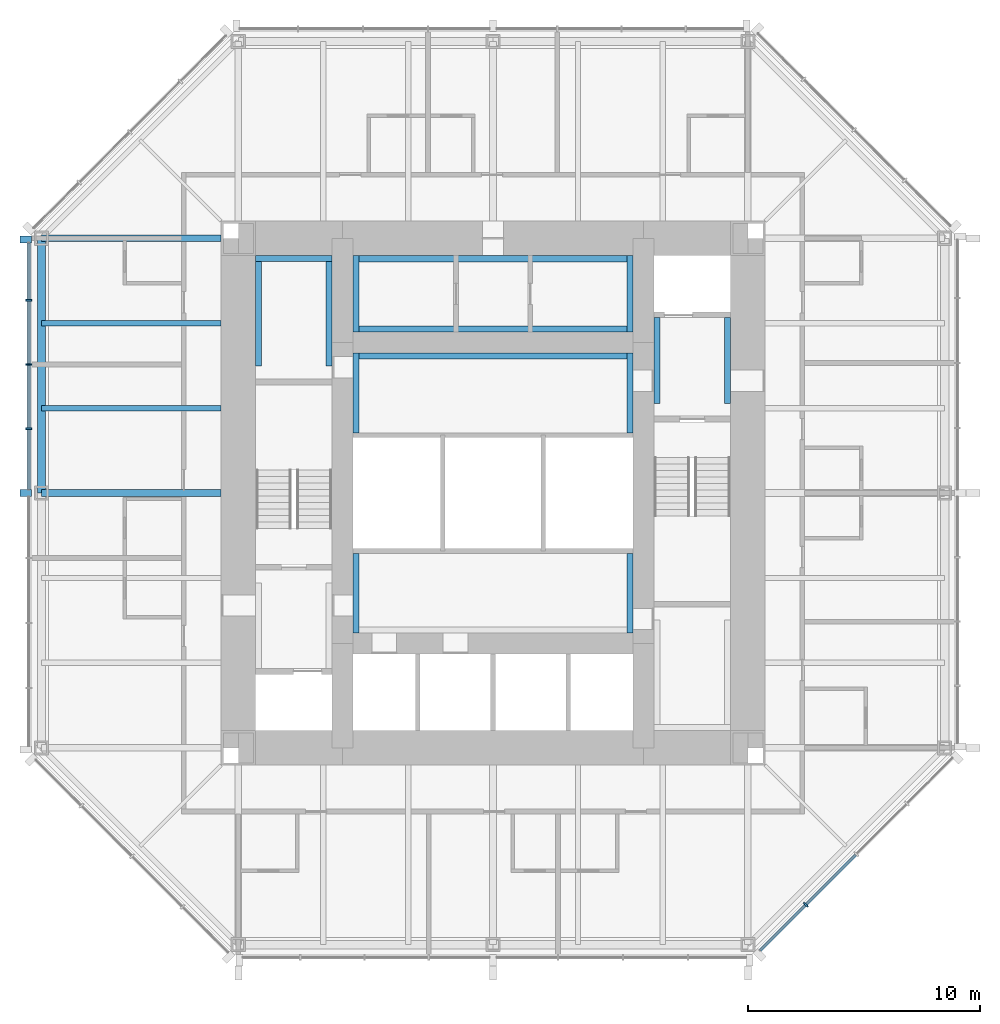
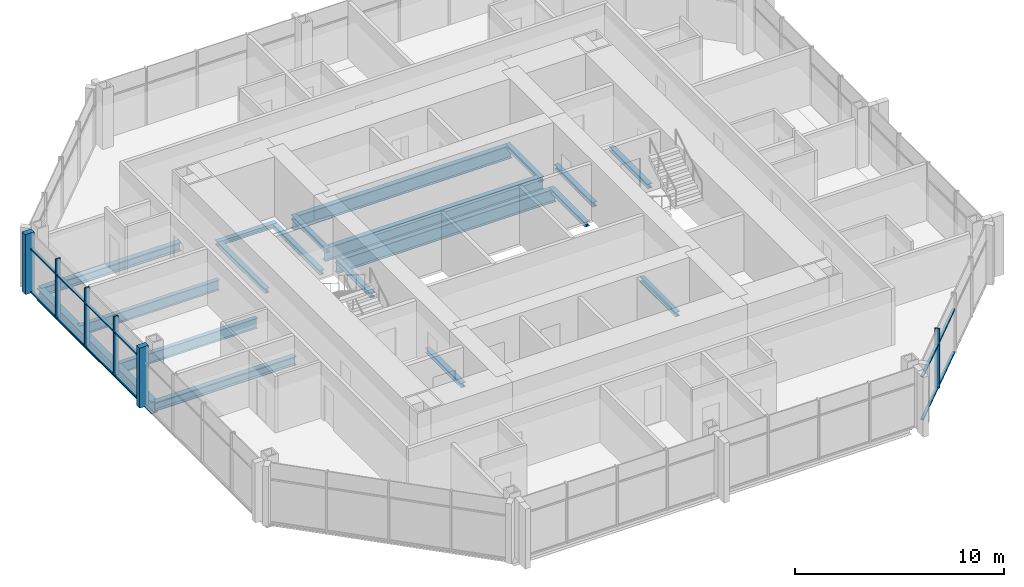
# One storey, part 3 of 11: 19 beams, 18 members, 2 elements without a shape of their own.
"""IFC4 building model written with IfcOpenShell, lengths in metres."""

from ifc_helpers import new_model, si_unit, direction, frame, origin, origin_2d, place, context, subcontext, project, spatial, rectangle, i_section, extrude, material, material_profile, profile_set, type_object, element, aggregate, save


model = new_model("IFC4")

# Units and contexts
model_context = context("Model", 3, precision=1e-05, world=origin(), true_north=direction((0.0, 1.0)))
body_context = subcontext(model_context, "Body", "Model", "MODEL_VIEW")
ifc_project = project(units=[si_unit("LENGTHUNIT", "METRE"), si_unit("AREAUNIT", "SQUARE_METRE"), si_unit("VOLUMEUNIT", "CUBIC_METRE"), si_unit("PLANEANGLEUNIT", "RADIAN"), si_unit("MASSUNIT", "GRAM", prefix="KILO")], contexts=[model_context])

# Site, building, storey
site_placement = place(None, origin())
site = spatial("IfcSite", under=ifc_project, at=site_placement, CompositionType="ELEMENT")
building_placement = place(site_placement, origin())
building = spatial("IfcBuilding", under=site, at=building_placement, Name="Trevanion Tower", CompositionType="ELEMENT")
storey_placement = place(building_placement, frame((0.0, 0.0, 218.699951171875)))
storey = spatial("IfcBuildingStorey", under=building, at=storey_placement, Name="L52", CompositionType="ELEMENT", Elevation=218.699951171875)

# Beams
ifc_material_1 = material(Name="Steel ASTM A992 Grade 50", Category="steel")
ifc_material_profile_1 = material_profile(ifc_material_1, i_section(OverallWidth=0.228271484375, OverallDepth=0.607177734375, WebThickness=0.01123046875, FlangeThickness=0.017333984375, at=origin_2d()), Name="W24X76")
ifc_profile_set_1 = profile_set([ifc_material_profile_1], Name="Steel ASTM A992 Grade 50")
beam_type_1 = type_object("IfcBeamType", Name="B11 W24X76", PredefinedType="BEAM", material=ifc_profile_set_1)
for number, where, z_axis, x_axis, name in (
    (1, (-11.75, 7.333251953125, -0.493408203125), (-1.0, 0.0, 0.0), (0.0, -1.0, 0.0), "B11 L52"),
    (2, (-11.75, 3.666748046875, -0.493408203125), (-1.0, 0.0, 0.0), (0.0, -1.0, 0.0), "B11 L52"),
):
    element("IfcBeam", number, at=place(storey_placement, frame(where, z_axis=z_axis, x_axis=x_axis)), inside=storey, type_object=beam_type_1, Name=name, PredefinedType="BEAM", context=body_context, shape_type="SweptSolid", body=[
        extrude(i_section(OverallWidth=0.228271484375, OverallDepth=0.607177734375, WebThickness=0.01123046875, FlangeThickness=0.017333984375, at=origin_2d()), origin(), (0.0, 0.0, 1.0), 7.75),
    ])

# Curtain wall, members
ifc_material_2 = material(Name="Aluminium and glass", Category="aluminium")
curtain_wall_type = type_object("IfcCurtainWallType", Name="CW3 curtain wall", PredefinedType="USERDEFINED", material=ifc_material_2)
curtain_wall_1_placement = place(storey_placement, origin())
curtain_wall_1 = element("IfcCurtainWall", 3, at=curtain_wall_1_placement, inside=storey, type_object=curtain_wall_type, Name="CW3 L52 4", ObjectType="UNITISED CURTAIN WALL", PredefinedType="USERDEFINED")
ifc_material_3 = material(Name="Aluminium extrusion, anodised bronze", Category="aluminium")
ifc_material_profile_2 = material_profile(ifc_material_3, rectangle(XDim=0.074951171875, YDim=0.25, at=origin_2d()), Name="CW3 mullion")
ifc_profile_set_2 = profile_set([ifc_material_profile_2], Name="Aluminium extrusion, anodised bronze")
member_type_1 = type_object("IfcMemberType", Name="CW3 mullion", PredefinedType="MULLION", material=ifc_profile_set_2)
member_1_placement = place(storey_placement, frame((-20.050048828125, 8.323486328125, -0.18994140625), z_axis=(0.0, 0.0, 1.0), x_axis=(0.0, -1.0, 0.0)))
member_1 = element("IfcMember", 4, at=member_1_placement, type_object=member_type_1, Name="CW3 mullion 2", PredefinedType="MULLION", context=body_context, shape_type="SweptSolid", body=[
    extrude(rectangle(XDim=0.074951171875, YDim=0.25, at=origin_2d()), origin(), (0.0, 0.0, 1.0), 3.5),
])
member_2_placement = place(storey_placement, frame((-20.050048828125, 5.548828125, -0.18994140625), z_axis=(0.0, 0.0, 1.0), x_axis=(0.0, -1.0, 0.0)))
member_2 = element("IfcMember", 5, at=member_2_placement, type_object=member_type_1, Name="CW3 mullion 3", PredefinedType="MULLION", context=body_context, shape_type="SweptSolid", body=[
    extrude(rectangle(XDim=0.074951171875, YDim=0.25, at=origin_2d()), origin(), (0.0, 0.0, 1.0), 3.5),
])
member_3_placement = place(storey_placement, frame((-20.050048828125, 2.7744140625, -0.18994140625), z_axis=(0.0, 0.0, 1.0), x_axis=(0.0, -1.0, 0.0)))
member_3 = element("IfcMember", 6, at=member_3_placement, type_object=member_type_1, Name="CW3 mullion 4", PredefinedType="MULLION", context=body_context, shape_type="SweptSolid", body=[
    extrude(rectangle(XDim=0.074951171875, YDim=0.25, at=origin_2d()), origin(), (0.0, 0.0, 1.0), 3.5),
])

# Curtain wall, member
curtain_wall_2_placement = place(storey_placement, origin())
curtain_wall_2 = element("IfcCurtainWall", 7, at=curtain_wall_2_placement, inside=storey, type_object=curtain_wall_type, Name="CW3 L52 7", ObjectType="UNITISED CURTAIN WALL", PredefinedType="USERDEFINED")
member_4_placement = place(storey_placement, frame((13.502197265625, -17.775390625, -0.18994140625), z_axis=(0.0, 0.0, 1.0), x_axis=(0.707106781187, 0.707106781187, 0.0)))
member_4 = element("IfcMember", 8, at=member_4_placement, type_object=member_type_1, Name="CW3 mullion 2", PredefinedType="MULLION", context=body_context, shape_type="SweptSolid", body=[
    extrude(rectangle(XDim=0.074951171875, YDim=0.25, at=origin_2d()), origin(), (0.0, 0.0, 1.0), 3.5),
])

# Member
ifc_material_4 = material(Name="Aluminium extrusion, anodised bronze", Category="aluminium")
ifc_material_profile_3 = material_profile(ifc_material_4, rectangle(XDim=0.300048828125, YDim=0.5, at=origin_2d()), Name="CW3 pier mullion")
ifc_profile_set_3 = profile_set([ifc_material_profile_3], Name="Aluminium extrusion, anodised bronze")
member_type_2 = type_object("IfcMemberType", Name="CW3 pier mullion", PredefinedType="MULLION", material=ifc_profile_set_3)
member_5_placement = place(storey_placement, frame((-20.175048828125, 10.94775390625, -0.18994140625), z_axis=(0.0, 0.0, 1.0), x_axis=(0.0, -1.0, 0.0)))
member_5 = element("IfcMember", 9, at=member_5_placement, type_object=member_type_2, Name="CW3 pier mullion 1", PredefinedType="MULLION", context=body_context, shape_type="SweptSolid", body=[
    extrude(rectangle(XDim=0.300048828125, YDim=0.5, at=origin_2d()), origin(), (0.0, 0.0, 1.0), 3.5),
])

member_6_placement = place(storey_placement, frame((-20.175048828125, 0.0, -0.18994140625), z_axis=(0.0, 0.0, 1.0), x_axis=(0.0, -1.0, 0.0)))
member_6 = element("IfcMember", 10, at=member_6_placement, type_object=member_type_2, Name="CW3 pier mullion 5", PredefinedType="MULLION", context=body_context, shape_type="SweptSolid", body=[
    extrude(rectangle(XDim=0.300048828125, YDim=0.5, at=origin_2d()), origin(), (0.0, 0.0, 1.0), 3.5),
])

ifc_material_5 = material(Name="Aluminium extrusion, anodised bronze", Category="aluminium")
ifc_material_profile_4 = material_profile(ifc_material_5, rectangle(XDim=0.14990234375, YDim=0.074951171875, at=origin_2d()), Name="CW3 transom")
ifc_profile_set_4 = profile_set([ifc_material_profile_4], Name="Aluminium extrusion, anodised bronze")
member_type_3 = type_object("IfcMemberType", Name="CW3 transom", PredefinedType="USERDEFINED", material=ifc_profile_set_4)
member_7_placement = place(storey_placement, frame((-20.050048828125, 10.7978515625, -0.15234375), z_axis=(0.0, -1.0, 0.0), x_axis=(1.0, 0.0, 0.0)))
member_7 = element("IfcMember", 11, at=member_7_placement, type_object=member_type_3, Name="CW3 transom 1.1", ObjectType="TRANSOM", PredefinedType="USERDEFINED", context=body_context, shape_type="SweptSolid", body=[
    extrude(rectangle(XDim=0.14990234375, YDim=0.074951171875, at=origin_2d()), origin(), (0.0, 0.0, 1.0), 2.43701171875),
])

member_8_placement = place(storey_placement, frame((-20.050048828125, 10.7978515625, 2.360107421875), z_axis=(0.0, -1.0, 0.0), x_axis=(1.0, 0.0, 0.0)))
member_8 = element("IfcMember", 12, at=member_8_placement, type_object=member_type_3, Name="CW3 transom 1.2", ObjectType="TRANSOM", PredefinedType="USERDEFINED", context=body_context, shape_type="SweptSolid", body=[
    extrude(rectangle(XDim=0.14990234375, YDim=0.074951171875, at=origin_2d()), origin(), (0.0, 0.0, 1.0), 2.43701171875),
])

member_9_placement = place(storey_placement, frame((-20.050048828125, 8.285888671875, -0.15234375), z_axis=(0.0, -1.0, 0.0), x_axis=(1.0, 0.0, 0.0)))
member_9 = element("IfcMember", 13, at=member_9_placement, type_object=member_type_3, Name="CW3 transom 2.1", ObjectType="TRANSOM", PredefinedType="USERDEFINED", context=body_context, shape_type="SweptSolid", body=[
    extrude(rectangle(XDim=0.14990234375, YDim=0.074951171875, at=origin_2d()), origin(), (0.0, 0.0, 1.0), 2.699462890625),
])

member_10_placement = place(storey_placement, frame((-20.050048828125, 8.285888671875, 2.360107421875), z_axis=(0.0, -1.0, 0.0), x_axis=(1.0, 0.0, 0.0)))
member_10 = element("IfcMember", 14, at=member_10_placement, type_object=member_type_3, Name="CW3 transom 2.2", ObjectType="TRANSOM", PredefinedType="USERDEFINED", context=body_context, shape_type="SweptSolid", body=[
    extrude(rectangle(XDim=0.14990234375, YDim=0.074951171875, at=origin_2d()), origin(), (0.0, 0.0, 1.0), 2.699462890625),
])

member_11_placement = place(storey_placement, frame((-20.050048828125, 5.511474609375, -0.15234375), z_axis=(0.0, -1.0, 0.0), x_axis=(1.0, 0.0, 0.0)))
member_11 = element("IfcMember", 15, at=member_11_placement, type_object=member_type_3, Name="CW3 transom 3.1", ObjectType="TRANSOM", PredefinedType="USERDEFINED", context=body_context, shape_type="SweptSolid", body=[
    extrude(rectangle(XDim=0.14990234375, YDim=0.074951171875, at=origin_2d()), origin(), (0.0, 0.0, 1.0), 2.699462890625),
])

member_12_placement = place(storey_placement, frame((-20.050048828125, 5.511474609375, 2.360107421875), z_axis=(0.0, -1.0, 0.0), x_axis=(1.0, 0.0, 0.0)))
member_12 = element("IfcMember", 16, at=member_12_placement, type_object=member_type_3, Name="CW3 transom 3.2", ObjectType="TRANSOM", PredefinedType="USERDEFINED", context=body_context, shape_type="SweptSolid", body=[
    extrude(rectangle(XDim=0.14990234375, YDim=0.074951171875, at=origin_2d()), origin(), (0.0, 0.0, 1.0), 2.699462890625),
])

member_13_placement = place(storey_placement, frame((-20.050048828125, 2.737060546875, -0.15234375), z_axis=(0.0, -1.0, 0.0), x_axis=(1.0, 0.0, 0.0)))
member_13 = element("IfcMember", 17, at=member_13_placement, type_object=member_type_3, Name="CW3 transom 4.1", ObjectType="TRANSOM", PredefinedType="USERDEFINED", context=body_context, shape_type="SweptSolid", body=[
    extrude(rectangle(XDim=0.14990234375, YDim=0.074951171875, at=origin_2d()), origin(), (0.0, 0.0, 1.0), 2.587158203125),
])

member_14_placement = place(storey_placement, frame((-20.050048828125, 2.737060546875, 2.360107421875), z_axis=(0.0, -1.0, 0.0), x_axis=(1.0, 0.0, 0.0)))
member_14 = element("IfcMember", 18, at=member_14_placement, type_object=member_type_3, Name="CW3 transom 4.2", ObjectType="TRANSOM", PredefinedType="USERDEFINED", context=body_context, shape_type="SweptSolid", body=[
    extrude(rectangle(XDim=0.14990234375, YDim=0.074951171875, at=origin_2d()), origin(), (0.0, 0.0, 1.0), 2.587158203125),
])

aggregate(curtain_wall_1, [member_5, member_1, member_2, member_3, member_6, member_7, member_8, member_9, member_10, member_11, member_12, member_13, member_14])

member_15_placement = place(storey_placement, frame((11.531982421875, -19.745849609375, -0.15234375), z_axis=(0.707106781187, 0.707106781187, 0.0), x_axis=(-0.707106781187, 0.707106781187, 0.0)))
member_15 = element("IfcMember", 19, at=member_15_placement, type_object=member_type_3, Name="CW3 transom 1.1", ObjectType="TRANSOM", PredefinedType="USERDEFINED", context=body_context, shape_type="SweptSolid", body=[
    extrude(rectangle(XDim=0.14990234375, YDim=0.074951171875, at=origin_2d()), origin(), (0.0, 0.0, 1.0), 2.7490234375),
])

member_16_placement = place(storey_placement, frame((11.531982421875, -19.745849609375, 2.360107421875), z_axis=(0.707106781187, 0.707106781187, 0.0), x_axis=(-0.707106781187, 0.707106781187, 0.0)))
member_16 = element("IfcMember", 20, at=member_16_placement, type_object=member_type_3, Name="CW3 transom 1.2", ObjectType="TRANSOM", PredefinedType="USERDEFINED", context=body_context, shape_type="SweptSolid", body=[
    extrude(rectangle(XDim=0.14990234375, YDim=0.074951171875, at=origin_2d()), origin(), (0.0, 0.0, 1.0), 2.7490234375),
])

member_17_placement = place(storey_placement, frame((13.52880859375, -17.7490234375, -0.15234375), z_axis=(0.707106781187, 0.707106781187, 0.0), x_axis=(-0.707106781187, 0.707106781187, 0.0)))
member_17 = element("IfcMember", 21, at=member_17_placement, type_object=member_type_3, Name="CW3 transom 2.1", ObjectType="TRANSOM", PredefinedType="USERDEFINED", context=body_context, shape_type="SweptSolid", body=[
    extrude(rectangle(XDim=0.14990234375, YDim=0.074951171875, at=origin_2d()), origin(), (0.0, 0.0, 1.0), 3.01171875),
])

member_18_placement = place(storey_placement, frame((13.52880859375, -17.7490234375, 2.360107421875), z_axis=(0.707106781187, 0.707106781187, 0.0), x_axis=(-0.707106781187, 0.707106781187, 0.0)))
member_18 = element("IfcMember", 22, at=member_18_placement, type_object=member_type_3, Name="CW3 transom 2.2", ObjectType="TRANSOM", PredefinedType="USERDEFINED", context=body_context, shape_type="SweptSolid", body=[
    extrude(rectangle(XDim=0.14990234375, YDim=0.074951171875, at=origin_2d()), origin(), (0.0, 0.0, 1.0), 3.01171875),
])

aggregate(curtain_wall_2, [member_4, member_15, member_16, member_17, member_18])

# Beams
ifc_material_6 = material(Name="Steel ASTM A992 Grade 50", Category="steel")
ifc_material_profile_5 = material_profile(ifc_material_6, i_section(OverallWidth=0.28955078125, OverallDepth=0.508056640625, WebThickness=0.022705078125, FlangeThickness=0.040283203125, at=origin_2d()), Name="W18X175")
ifc_profile_set_5 = profile_set([ifc_material_profile_5], Name="Steel ASTM A992 Grade 50")
beam_type_2 = type_object("IfcBeamType", Name="G6 W18X175", PredefinedType="BEAM", material=ifc_profile_set_5)
for number, where, z_axis, x_axis, name in (
    (23, (-11.75, 11.0, -0.44384765625), (-1.0, 0.0, 0.0), (0.0, -1.0, 0.0), "G6 L52"),
    (24, (-11.75, 0.0, -0.44384765625), (-1.0, 0.0, 0.0), (0.0, -1.0, 0.0), "G6 L52"),
):
    element("IfcBeam", number, at=place(storey_placement, frame(where, z_axis=z_axis, x_axis=x_axis)), inside=storey, type_object=beam_type_2, Name=name, PredefinedType="BEAM", context=body_context, shape_type="SweptSolid", body=[
        extrude(i_section(OverallWidth=0.28955078125, OverallDepth=0.508056640625, WebThickness=0.022705078125, FlangeThickness=0.040283203125, at=origin_2d()), origin(), (0.0, 0.0, 1.0), 7.75),
    ])
ifc_material_7 = material(Name="Steel ASTM A992 Grade 50", Category="steel")
ifc_material_profile_6 = material_profile(ifc_material_7, i_section(OverallWidth=0.256591796875, OverallDepth=0.26416015625, WebThickness=0.011962890625, FlangeThickness=0.01953125, at=origin_2d()), Name="W10X68")
ifc_profile_set_6 = profile_set([ifc_material_profile_6], Name="Steel ASTM A992 Grade 50")
beam_type_3 = type_object("IfcBeamType", Name="LB1 W10X68", PredefinedType="BEAM", material=ifc_profile_set_6)
for number, where, z_axis, x_axis, name in (
    (25, (-5.921630859375, 2.60009765625, -0.33203125), (0.0, 1.0, 0.0), (-1.0, 0.0, 0.0), "LB1 L52"),
    (26, (5.921630859375, 2.60009765625, -0.33203125), (0.0, 1.0, 0.0), (-1.0, 0.0, 0.0), "LB1 L52"),
    (27, (-5.921630859375, -6.050048828125, -0.33203125), (0.0, 1.0, 0.0), (-1.0, 0.0, 0.0), "LB1 L52"),
    (28, (5.921630859375, -6.050048828125, -0.33203125), (0.0, 1.0, 0.0), (-1.0, 0.0, 0.0), "LB1 L52"),
):
    element("IfcBeam", number, at=place(storey_placement, frame(where, z_axis=z_axis, x_axis=x_axis)), inside=storey, type_object=beam_type_3, Name=name, PredefinedType="BEAM", context=body_context, shape_type="SweptSolid", body=[
        extrude(i_section(OverallWidth=0.256591796875, OverallDepth=0.26416015625, WebThickness=0.011962890625, FlangeThickness=0.01953125, at=origin_2d()), origin(), (0.0, 0.0, 1.0), 3.449951171875),
    ])
for number, where, z_axis, x_axis, name in (
    (29, (7.078369140625, 3.875, -0.33203125), (0.0, 1.0, 0.0), (-1.0, 0.0, 0.0), "LB1 L52"),
    (30, (10.12158203125, 3.875, -0.33203125), (0.0, 1.0, 0.0), (-1.0, 0.0, 0.0), "LB1 L52"),
):
    element("IfcBeam", number, at=place(storey_placement, frame(where, z_axis=z_axis, x_axis=x_axis)), inside=storey, type_object=beam_type_3, Name=name, PredefinedType="BEAM", context=body_context, shape_type="SweptSolid", body=[
        extrude(i_section(OverallWidth=0.256591796875, OverallDepth=0.26416015625, WebThickness=0.011962890625, FlangeThickness=0.01953125, at=origin_2d()), origin(), (0.0, 0.0, 1.0), 3.699951171875),
    ])
for number, where, z_axis, x_axis, name in (
    (31, (-10.12158203125, 5.47509765625, -0.33203125), (0.0, 1.0, 0.0), (-1.0, 0.0, 0.0), "LB1 L52"),
    (32, (-7.078369140625, 5.47509765625, -0.33203125), (0.0, 1.0, 0.0), (-1.0, 0.0, 0.0), "LB1 L52"),
):
    element("IfcBeam", number, at=place(storey_placement, frame(where, z_axis=z_axis, x_axis=x_axis)), inside=storey, type_object=beam_type_3, Name=name, PredefinedType="BEAM", context=body_context, shape_type="SweptSolid", body=[
        extrude(i_section(OverallWidth=0.256591796875, OverallDepth=0.26416015625, WebThickness=0.011962890625, FlangeThickness=0.01953125, at=origin_2d()), origin(), (0.0, 0.0, 1.0), 4.77490234375),
    ])
for number, where, z_axis, x_axis, name in (
    (33, (-10.25, 10.12158203125, -0.33203125), (1.0, 0.0, 0.0), (0.0, 1.0, 0.0), "LB1 L52"),
    (34, (-5.921630859375, 6.949951171875, -0.33203125), (0.0, 1.0, 0.0), (-1.0, 0.0, 0.0), "LB1 L52"),
    (35, (5.921630859375, 6.949951171875, -0.33203125), (0.0, 1.0, 0.0), (-1.0, 0.0, 0.0), "LB1 L52"),
):
    element("IfcBeam", number, at=place(storey_placement, frame(where, z_axis=z_axis, x_axis=x_axis)), inside=storey, type_object=beam_type_3, Name=name, PredefinedType="BEAM", context=body_context, shape_type="SweptSolid", body=[
        extrude(i_section(OverallWidth=0.256591796875, OverallDepth=0.26416015625, WebThickness=0.011962890625, FlangeThickness=0.01953125, at=origin_2d()), origin(), (0.0, 0.0, 1.0), 3.300048828125),
    ])
ifc_material_8 = material(Name="Steel ASTM A992 Grade 50", Category="steel")
ifc_material_profile_7 = material_profile(ifc_material_8, i_section(OverallWidth=0.2666015625, OverallDepth=0.76953125, WebThickness=0.015625, FlangeThickness=0.025390625, at=origin_2d()), Name="W30X132")
ifc_profile_set_7 = profile_set([ifc_material_profile_7], Name="Steel ASTM A992 Grade 50")
beam_type_4 = type_object("IfcBeamType", Name="LB3 W30X132", PredefinedType="BEAM", material=ifc_profile_set_7)
for number, where, z_axis, x_axis, name in (
    (36, (-6.050048828125, 5.91650390625, -0.584716796875), (1.0, 0.0, 0.0), (0.0, 1.0, 0.0), "LB3 L52"),
    (37, (-6.050048828125, 7.08349609375, -0.584716796875), (1.0, 0.0, 0.0), (0.0, 1.0, 0.0), "LB3 L52"),
    (38, (-6.050048828125, 10.11669921875, -0.584716796875), (1.0, 0.0, 0.0), (0.0, 1.0, 0.0), "LB3 L52"),
):
    element("IfcBeam", number, at=place(storey_placement, frame(where, z_axis=z_axis, x_axis=x_axis)), inside=storey, type_object=beam_type_4, Name=name, PredefinedType="BEAM", context=body_context, shape_type="SweptSolid", body=[
        extrude(i_section(OverallWidth=0.2666015625, OverallDepth=0.76953125, WebThickness=0.015625, FlangeThickness=0.025390625, at=origin_2d()), origin(), (0.0, 0.0, 1.0), 12.10009765625),
    ])
ifc_material_9 = material(Name="Steel ASTM A992 Grade 50", Category="steel")
ifc_material_profile_8 = material_profile(ifc_material_9, i_section(OverallWidth=0.355712890625, OverallDepth=0.696044921875, WebThickness=0.015380859375, FlangeThickness=0.024658203125, at=origin_2d()), Name="W27X146")
ifc_profile_set_8 = profile_set([ifc_material_profile_8], Name="Steel ASTM A992 Grade 50")
beam_type_5 = type_object("IfcBeamType", Name="SB8 W27X146", PredefinedType="SPANDREL", material=ifc_profile_set_8)
beam_placement = place(storey_placement, frame((-19.5, 11.0, -0.537841796875), z_axis=(0.0, -1.0, 0.0), x_axis=(1.0, 0.0, 0.0)))
element("IfcBeam", 39, at=beam_placement, inside=storey, type_object=beam_type_5, Name="SB8 L52", PredefinedType="SPANDREL", context=body_context, shape_type="SweptSolid", body=[
    extrude(i_section(OverallWidth=0.355712890625, OverallDepth=0.696044921875, WebThickness=0.015380859375, FlangeThickness=0.024658203125, at=origin_2d()), origin(), (0.0, 0.0, 1.0), 11.0),
])

save(model, "model.ifc")
